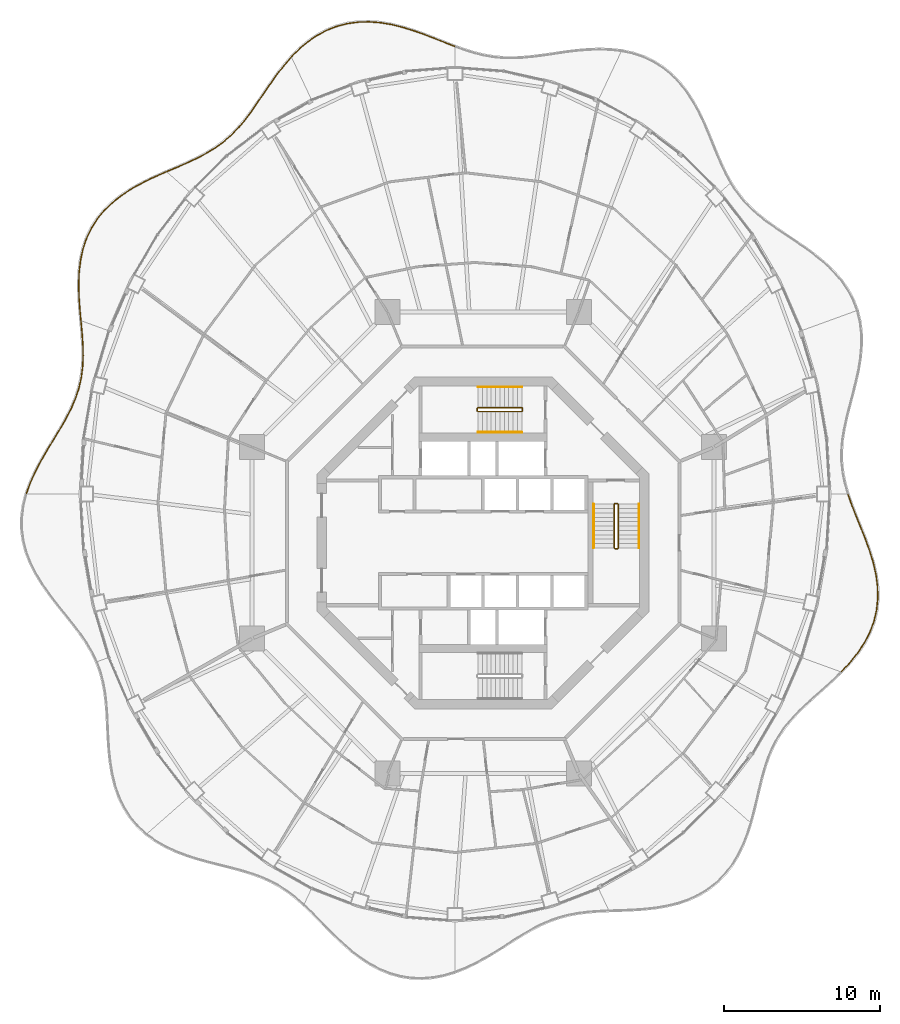
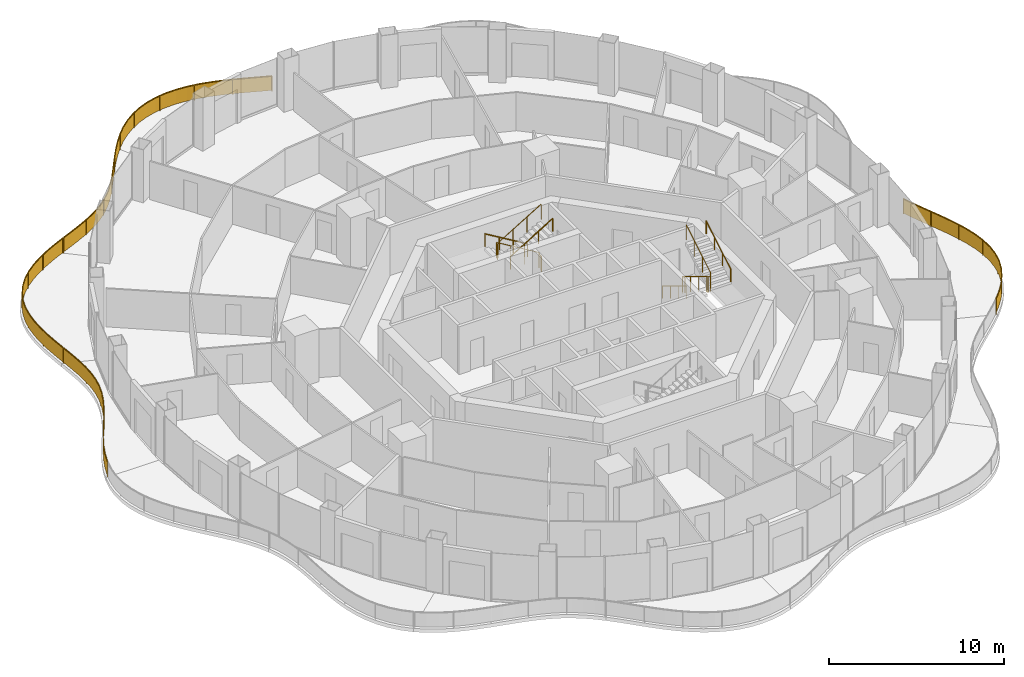
# One storey, part 17 of 18: 11 railings.
"""IFC4 building model written with IfcOpenShell, lengths in metres."""

from ifc_helpers import new_model, si_unit, direction, frame, origin, origin_2d, place, context, subcontext, project, spatial, polyline, rectangle, circle, outline, extrude, material, type_object, element, save


model = new_model("IFC4")

# Units and contexts
model_context = context("Model", 3, precision=1e-05, world=origin(), true_north=direction((0.0, 1.0)))
body_context = subcontext(model_context, "Body", "Model", "MODEL_VIEW")
ifc_project = project(units=[si_unit("LENGTHUNIT", "METRE"), si_unit("AREAUNIT", "SQUARE_METRE"), si_unit("VOLUMEUNIT", "CUBIC_METRE"), si_unit("PLANEANGLEUNIT", "RADIAN"), si_unit("MASSUNIT", "GRAM", prefix="KILO")], contexts=[model_context])

# Site, building, storey
site_placement = place(None, origin())
site = spatial("IfcSite", under=ifc_project, at=site_placement, CompositionType="ELEMENT")
building_placement = place(site_placement, origin())
building = spatial("IfcBuilding", under=site, at=building_placement, Name="Nagisa Residences", CompositionType="ELEMENT")
storey_placement = place(building_placement, frame((0.0, 0.0, 249.199951171875)))
storey = spatial("IfcBuildingStorey", under=building, at=storey_placement, Name="L63", CompositionType="ELEMENT", Elevation=249.199951171875)

# Railings
ifc_material_1 = material(Name="Stainless steel 316", Category="steel")
railing_type_1 = type_object("IfcRailingType", Name="BALCONY GUARD 1100", PredefinedType="BALUSTRADE", material=ifc_material_1)
railing_1_placement = place(storey_placement, frame((-1.833984375, 31.7880859375, 0.0)))
element("IfcRailing", 1, at=railing_1_placement, inside=storey, type_object=railing_type_1, Name="guard:L63:bal04-0", PredefinedType="BALUSTRADE", context=body_context, shape_type="SweptSolid", body=[
    extrude(outline(polyline([(-0.607666015625, 0.21142578125), (-0.009033203125, -0.023193359375), (0.009033203125, 0.023193359375), (-0.589111328125, 0.2578125), (-1.24609375, 0.518798828125), (-1.919921875, 0.77880859375), (-2.610595703125, 1.023681640625), (-3.314453125, 1.23974609375), (-4.0126953125, 1.416015625), (-4.734130859375, 1.535400390625), (-5.454833984375, 1.58984375), (-6.169189453125, 1.571044921875), (-6.8701171875, 1.474609375), (-7.53466796875, 1.302490234375), (-8.188720703125, 1.045654296875), (-8.81201171875, 0.712646484375), (-9.40087890625, 0.3095703125), (-9.95263671875, -0.154296875), (-10.4326171875, -0.63720703125), (-10.39697265625, -0.67236328125), (-9.9189453125, -0.19140625), (-9.37060546875, 0.26953125), (-8.7861328125, 0.669677734375), (-8.167724609375, 1.000244140625), (-7.51904296875, 1.254638671875), (-6.8603515625, 1.42529296875), (-6.165283203125, 1.521240234375), (-5.456298828125, 1.53955078125), (-4.739990234375, 1.485595703125), (-4.02294921875, 1.3671875), (-3.328125, 1.19140625), (-2.626220703125, 0.976318359375), (-1.9375, 0.73193359375), (-1.26416015625, 0.472412109375), (-0.607666015625, 0.21142578125)])), frame((0.0, 0.0, 1.050048828125)), (0.0, 0.0, 1.0), 0.050048828125),
    extrude(outline(polyline([(-0.60107421875, 0.22802734375), (-0.00244140625, -0.006591796875), (0.00244140625, 0.006591796875), (-0.595703125, 0.2412109375), (-1.252685546875, 0.502197265625), (-1.92626953125, 0.761962890625), (-2.6162109375, 1.006591796875), (-3.3193359375, 1.222412109375), (-4.016357421875, 1.3984375), (-4.736328125, 1.517333984375), (-5.455322265625, 1.57177734375), (-6.167724609375, 1.55322265625), (-6.86669921875, 1.456787109375), (-7.529052734375, 1.28515625), (-8.18115234375, 1.029296875), (-8.802734375, 0.697265625), (-9.389892578125, 0.295166015625), (-9.9404296875, -0.167724609375), (-10.419677734375, -0.64990234375), (-10.409912109375, -0.65966796875), (-9.93115234375, -0.177978515625), (-9.381591796875, 0.283935546875), (-8.79541015625, 0.68505859375), (-8.17529296875, 1.0166015625), (-7.524658203125, 1.27197265625), (-6.86376953125, 1.443115234375), (-6.166748046875, 1.5390625), (-5.455810546875, 1.5576171875), (-4.73779296875, 1.503662109375), (-4.019287109375, 1.384765625), (-3.3232421875, 1.208740234375), (-2.62060546875, 0.993408203125), (-1.93115234375, 0.748779296875), (-1.257568359375, 0.489013671875), (-0.60107421875, 0.22802734375)])), frame((0.0, 0.0, 0.06005859375)), (0.0, 0.0, 1.0), 0.989990234375),
    extrude(rectangle(XDim=0.0400390625, YDim=0.0400390625, at=origin_2d()), origin(), (0.0, 0.0, 1.0), 1.050048828125),
    extrude(rectangle(XDim=0.0400390625, YDim=0.0400390625, at=origin_2d()), frame((-2.110107421875, 0.819580078125, 0.0)), (0.0, 0.0, 1.0), 1.050048828125),
    extrude(rectangle(XDim=0.0400390625, YDim=0.0400390625, at=origin_2d()), frame((-4.284912109375, 1.435791015625, 0.0)), (0.0, 0.0, 1.0), 1.050048828125),
    extrude(rectangle(XDim=0.0400390625, YDim=0.0400390625, at=origin_2d()), frame((-6.536865234375, 1.4951171875, 0.0)), (0.0, 0.0, 1.0), 1.050048828125),
    extrude(rectangle(XDim=0.0400390625, YDim=0.0400390625, at=origin_2d()), frame((-8.66259765625, 0.76416015625, 0.0)), (0.0, 0.0, 1.0), 1.050048828125),
    extrude(rectangle(XDim=0.0400390625, YDim=0.0400390625, at=origin_2d()), frame((-10.414794921875, -0.65478515625, 0.0)), (0.0, 0.0, 1.0), 1.050048828125),
])
railing_2_placement = place(storey_placement, frame((-12.300537109375, 31.075927734375, 0.0)))
element("IfcRailing", 2, at=railing_2_placement, inside=storey, type_object=railing_type_1, Name="guard:L63:bal05-0", PredefinedType="BALUSTRADE", context=body_context, shape_type="SweptSolid", body=[
    extrude(outline(polyline([(-0.445068359375, -0.55517578125), (0.01904296875, -0.016357421875), (-0.01904296875, 0.016357421875), (-0.483642578125, -0.5234375), (-0.94775390625, -1.124267578125), (-1.384765625, -1.737548828125), (-1.802001953125, -2.349365234375), (-2.2080078125, -2.947021484375), (-2.598388671875, -3.51025390625), (-3.010498046875, -4.048828125), (-3.43896484375, -4.548095703125), (-3.892333984375, -5.005126953125), (-4.376220703125, -5.419189453125), (-4.883544921875, -5.783203125), (-5.439697265625, -6.123046875), (-6.032470703125, -6.43505859375), (-6.658203125, -6.72900390625), (-7.311279296875, -7.013671875), (-7.9423828125, -7.28076171875), (-7.9228515625, -7.32666015625), (-7.291748046875, -7.0595703125), (-6.6376953125, -6.7744140625), (-6.010009765625, -6.47998046875), (-5.414794921875, -6.16650390625), (-4.855712890625, -5.82470703125), (-4.345458984375, -5.458740234375), (-3.858154296875, -5.041748046875), (-3.40234375, -4.582275390625), (-2.971435546875, -4.08056640625), (-2.557861328125, -3.53955078125), (-2.16650390625, -2.975341796875), (-1.760498046875, -2.377685546875), (-1.34375, -1.766357421875), (-0.90771484375, -1.154052734375), (-0.445068359375, -0.55517578125)])), frame((0.0, 0.0, 1.050048828125)), (0.0, 0.0, 1.0), 0.050048828125),
    extrude(outline(polyline([(-0.458984375, -0.543701171875), (0.00537109375, -0.004638671875), (-0.00537109375, 0.004638671875), (-0.4697265625, -0.534912109375), (-0.933349609375, -1.135009765625), (-1.3701171875, -1.748046875), (-1.787109375, -2.359619140625), (-2.193115234375, -2.957275390625), (-2.583740234375, -3.520751953125), (-2.996337890625, -4.060302734375), (-3.42578125, -4.560546875), (-3.880126953125, -5.018310546875), (-4.365234375, -5.433349609375), (-4.87353515625, -5.798095703125), (-5.4306640625, -6.138671875), (-6.0244140625, -6.451171875), (-6.65087890625, -6.745361328125), (-7.30419921875, -7.0302734375), (-7.935302734375, -7.29736328125), (-7.929931640625, -7.31005859375), (-7.298828125, -7.04296875), (-6.64501953125, -6.758056640625), (-6.01806640625, -6.4638671875), (-5.423828125, -6.15087890625), (-4.86572265625, -5.809814453125), (-4.3564453125, -5.444580078125), (-3.870361328125, -5.028564453125), (-3.41552734375, -4.56982421875), (-2.985595703125, -4.069091796875), (-2.572509765625, -3.529052734375), (-2.181396484375, -2.965087890625), (-1.775390625, -2.367431640625), (-1.3583984375, -1.755859375), (-0.922119140625, -1.143310546875), (-0.458984375, -0.543701171875)])), frame((0.0, 0.0, 0.06005859375)), (0.0, 0.0, 1.0), 0.989990234375),
    extrude(rectangle(XDim=0.0400390625, YDim=0.0400390625, at=origin_2d()), origin(), (0.0, 0.0, 1.0), 1.050048828125),
    extrude(rectangle(XDim=0.0400390625, YDim=0.0400390625, at=origin_2d()), frame((-1.355712890625, -1.739990234375, 0.0)), (0.0, 0.0, 1.0), 1.050048828125),
    extrude(rectangle(XDim=0.0400390625, YDim=0.0400390625, at=origin_2d()), frame((-2.604736328125, -3.5595703125, 0.0)), (0.0, 0.0, 1.0), 1.050048828125),
    extrude(rectangle(XDim=0.0400390625, YDim=0.0400390625, at=origin_2d()), frame((-4.07763671875, -5.196533203125, 0.0)), (0.0, 0.0, 1.0), 1.050048828125),
    extrude(rectangle(XDim=0.0400390625, YDim=0.0400390625, at=origin_2d()), frame((-5.91796875, -6.403076171875, 0.0)), (0.0, 0.0, 1.0), 1.050048828125),
    extrude(rectangle(XDim=0.0400390625, YDim=0.0400390625, at=origin_2d()), frame((-7.9326171875, -7.3037109375, 0.0)), (0.0, 0.0, 1.0), 1.050048828125),
])
railing_3_placement = place(storey_placement, frame((-20.3037109375, 23.74365234375, 0.0)))
element("IfcRailing", 3, at=railing_3_placement, inside=storey, type_object=railing_type_1, Name="guard:L63:bal06-0", PredefinedType="BALUSTRADE", context=body_context, shape_type="SweptSolid", body=[
    extrude(outline(polyline([(-0.662841796875, -0.316162109375), (0.010009765625, -0.02294921875), (-0.010009765625, 0.02294921875), (-0.683837890625, -0.270751953125), (-1.393798828125, -0.60986328125), (-2.0849609375, -0.98388671875), (-2.7431640625, -1.40087890625), (-3.35302734375, -1.86572265625), (-3.896240234375, -2.3720703125), (-4.377197265625, -2.943115234375), (-4.780029296875, -3.564453125), (-5.10107421875, -4.23193359375), (-5.34033203125, -4.939453125), (-5.494140625, -5.66552734375), (-5.583251953125, -6.427978515625), (-5.611572265625, -7.2041015625), (-5.591552734375, -7.985595703125), (-5.53955078125, -8.763427734375), (-5.472900390625, -9.486328125), (-5.423095703125, -9.48193359375), (-5.48974609375, -8.759521484375), (-5.541748046875, -7.983154296875), (-5.561279296875, -7.20458984375), (-5.533447265625, -6.431884765625), (-5.44482421875, -5.673828125), (-5.2919921875, -4.95263671875), (-5.0546875, -4.2509765625), (-4.736083984375, -3.5888671875), (-4.336669921875, -2.972900390625), (-3.860107421875, -2.40673828125), (-3.32080078125, -1.90380859375), (-2.71435546875, -1.44189453125), (-2.0595703125, -1.02685546875), (-1.370849609375, -0.654296875), (-0.662841796875, -0.316162109375)])), frame((0.0, 0.0, 1.050048828125)), (0.0, 0.0, 1.0), 0.050048828125),
    extrude(outline(polyline([(-0.67041015625, -0.2998046875), (0.002685546875, -0.00634765625), (-0.002685546875, 0.00634765625), (-0.67626953125, -0.287109375), (-1.385498046875, -0.625732421875), (-2.075927734375, -0.999267578125), (-2.732666015625, -1.41552734375), (-3.341552734375, -1.87939453125), (-3.88330078125, -2.384521484375), (-4.362548828125, -2.953857421875), (-4.76416015625, -3.5732421875), (-5.08447265625, -4.23876953125), (-5.322998046875, -4.944091796875), (-5.476318359375, -5.66845703125), (-5.5654296875, -6.429443359375), (-5.593505859375, -7.204345703125), (-5.57373046875, -7.984619140625), (-5.521728515625, -8.761962890625), (-5.455078125, -9.48486328125), (-5.44091796875, -9.4833984375), (-5.507568359375, -8.760986328125), (-5.5595703125, -7.984130859375), (-5.579345703125, -7.204345703125), (-5.55126953125, -6.430419921875), (-5.462646484375, -5.6708984375), (-5.309326171875, -4.947998046875), (-5.0712890625, -4.244140625), (-4.751953125, -3.580078125), (-4.351318359375, -2.962158203125), (-3.873046875, -2.394287109375), (-3.332275390625, -1.89013671875), (-2.724853515625, -1.42724609375), (-2.068603515625, -1.011474609375), (-1.379150390625, -0.638427734375), (-0.67041015625, -0.2998046875)])), frame((0.0, 0.0, 0.06005859375)), (0.0, 0.0, 1.0), 0.989990234375),
    extrude(rectangle(XDim=0.0400390625, YDim=0.0400390625, at=origin_2d()), origin(), (0.0, 0.0, 1.0), 1.050048828125),
    extrude(rectangle(XDim=0.0400390625, YDim=0.0400390625, at=origin_2d()), frame((-1.821044921875, -0.869384765625, 0.0)), (0.0, 0.0, 1.0), 1.050048828125),
    extrude(rectangle(XDim=0.0400390625, YDim=0.0400390625, at=origin_2d()), frame((-3.476806640625, -2.015380859375, 0.0)), (0.0, 0.0, 1.0), 1.050048828125),
    extrude(rectangle(XDim=0.0400390625, YDim=0.0400390625, at=origin_2d()), frame((-4.75244140625, -3.56787109375, 0.0)), (0.0, 0.0, 1.0), 1.050048828125),
    extrude(rectangle(XDim=0.0400390625, YDim=0.0400390625, at=origin_2d()), frame((-5.42529296875, -5.461669921875, 0.0)), (0.0, 0.0, 1.0), 1.050048828125),
    extrude(rectangle(XDim=0.0400390625, YDim=0.0400390625, at=origin_2d()), frame((-5.57958984375, -7.47021484375, 0.0)), (0.0, 0.0, 1.0), 1.050048828125),
    extrude(rectangle(XDim=0.0400390625, YDim=0.0400390625, at=origin_2d()), frame((-5.447998046875, -9.484130859375, 0.0)), (0.0, 0.0, 1.0), 1.050048828125),
])
railing_4_placement = place(storey_placement, frame((-25.7431640625, 14.18408203125, 0.0)))
element("IfcRailing", 4, at=railing_4_placement, inside=storey, type_object=railing_type_1, Name="guard:L63:bal07-0", PredefinedType="BALUSTRADE", context=body_context, shape_type="SweptSolid", body=[
    extrude(outline(polyline([(0.092529296875, -0.72900390625), (0.02490234375, 0.002197265625), (-0.02490234375, -0.002197265625), (0.042724609375, -0.73291015625), (0.09423828125, -1.48681640625), (0.111083984375, -2.217041015625), (0.08056640625, -2.923828125), (-0.00732421875, -3.609375), (-0.1552734375, -4.263916015625), (-0.370849609375, -4.91943359375), (-0.647705078125, -5.568359375), (-0.978759765625, -6.216552734375), (-1.352294921875, -6.869873046875), (-1.751708984375, -7.51953125), (-2.163330078125, -8.196533203125), (-2.56591796875, -8.889404296875), (-2.93994140625, -9.599609375), (-3.26708984375, -10.326171875), (-3.51611328125, -11.021484375), (-3.46875, -11.03857421875), (-3.220703125, -10.3447265625), (-2.89501953125, -9.62158203125), (-2.52197265625, -8.913818359375), (-2.120361328125, -8.221923828125), (-1.709228515625, -7.54541015625), (-1.309326171875, -6.895263671875), (-0.934814453125, -6.240478515625), (-0.602294921875, -5.58935546875), (-0.323974609375, -4.93701171875), (-0.10693359375, -4.277099609375), (0.0419921875, -3.6181640625), (0.13037109375, -2.92822265625), (0.161376953125, -2.217529296875), (0.14404296875, -1.484375), (0.092529296875, -0.72900390625)])), frame((0.0, 0.0, 1.050048828125)), (0.0, 0.0, 1.0), 0.050048828125),
    extrude(outline(polyline([(0.07470703125, -0.73046875), (0.007080078125, 0.000732421875), (-0.007080078125, -0.000732421875), (0.060546875, -0.7314453125), (0.112060546875, -1.48583984375), (0.129150390625, -2.21728515625), (0.098388671875, -2.925537109375), (0.010498046875, -3.612548828125), (-0.137939453125, -4.2685546875), (-0.35400390625, -4.92578125), (-0.63134765625, -5.575927734375), (-0.962890625, -6.22509765625), (-1.3369140625, -6.87890625), (-1.736328125, -7.52880859375), (-2.14794921875, -8.20556640625), (-2.550048828125, -8.898193359375), (-2.923828125, -9.607421875), (-3.25048828125, -10.332763671875), (-3.4990234375, -11.027587890625), (-3.48583984375, -11.032470703125), (-3.2373046875, -10.338134765625), (-2.9111328125, -9.61376953125), (-2.537841796875, -8.905029296875), (-2.1357421875, -8.212890625), (-1.724609375, -7.5361328125), (-1.32470703125, -6.88623046875), (-0.95068359375, -6.23193359375), (-0.61865234375, -5.581787109375), (-0.3408203125, -4.9306640625), (-0.124267578125, -4.2724609375), (0.024169921875, -3.614990234375), (0.112548828125, -2.926513671875), (0.143310546875, -2.21728515625), (0.126220703125, -1.4853515625), (0.07470703125, -0.73046875)])), frame((0.0, 0.0, 0.06005859375)), (0.0, 0.0, 1.0), 0.989990234375),
    extrude(rectangle(XDim=0.0400390625, YDim=0.0400390625, at=origin_2d()), origin(), (0.0, 0.0, 1.0), 1.050048828125),
    extrude(rectangle(XDim=0.0400390625, YDim=0.0400390625, at=origin_2d()), frame((0.129638671875, -2.368896484375, 0.0)), (0.0, 0.0, 1.0), 1.050048828125),
    extrude(rectangle(XDim=0.0400390625, YDim=0.0400390625, at=origin_2d()), frame((-0.271728515625, -4.69775390625, 0.0)), (0.0, 0.0, 1.0), 1.050048828125),
    extrude(rectangle(XDim=0.0400390625, YDim=0.0400390625, at=origin_2d()), frame((-1.3017578125, -6.83154296875, 0.0)), (0.0, 0.0, 1.0), 1.050048828125),
    extrude(rectangle(XDim=0.0400390625, YDim=0.0400390625, at=origin_2d()), frame((-2.523681640625, -8.866943359375, 0.0)), (0.0, 0.0, 1.0), 1.050048828125),
    extrude(rectangle(XDim=0.0400390625, YDim=0.0400390625, at=origin_2d()), frame((-3.492431640625, -11.030029296875, 0.0)), (0.0, 0.0, 1.0), 1.050048828125),
])
railing_5_placement = place(storey_placement, frame((22.946044921875, -8.239501953125, 0.0)))
element("IfcRailing", 5, at=railing_5_placement, inside=storey, type_object=railing_type_1, Name="guard:L63:bal15-0", PredefinedType="BALUSTRADE", context=body_context, shape_type="SweptSolid", body=[
    extrude(outline(polyline([(0.5, 0.567626953125), (-0.018310546875, 0.01708984375), (0.018310546875, -0.01708984375), (0.53759765625, 0.534912109375), (1.03759765625, 1.152587890625), (1.472412109375, 1.802978515625), (1.828857421875, 2.48486328125), (2.09619140625, 3.196044921875), (2.26611328125, 3.918212890625), (2.34326171875, 4.6728515625), (2.327392578125, 5.43994140625), (2.226806640625, 6.212890625), (2.052734375, 6.9853515625), (1.81884765625, 7.73779296875), (1.546142578125, 8.492919921875), (1.251708984375, 9.23486328125), (0.955322265625, 9.96142578125), (0.67529296875, 10.67333984375), (0.44189453125, 11.33154296875), (0.39453125, 11.31494140625), (0.62841796875, 10.65576171875), (0.908935546875, 9.94287109375), (1.205322265625, 9.21630859375), (1.499267578125, 8.475341796875), (1.771484375, 7.7216796875), (2.00439453125, 6.97216796875), (2.177490234375, 6.2041015625), (2.277587890625, 5.43603515625), (2.29296875, 4.6748046875), (2.216796875, 3.926513671875), (2.04833984375, 3.210693359375), (1.782958984375, 2.50537109375), (1.429443359375, 1.828369140625), (0.9970703125, 1.182373046875), (0.5, 0.567626953125)])), frame((0.0, 0.0, 1.050048828125)), (0.0, 0.0, 1.0), 0.050048828125),
    extrude(outline(polyline([(0.513427734375, 0.555908203125), (-0.005126953125, 0.0048828125), (0.005126953125, -0.0048828125), (0.524169921875, 0.546630859375), (1.02294921875, 1.163330078125), (1.45703125, 1.81201171875), (1.812255859375, 2.4921875), (2.078857421875, 3.201416015625), (2.248291015625, 3.921142578125), (2.3251953125, 4.673583984375), (2.3095703125, 5.4384765625), (2.208984375, 6.209716796875), (2.035400390625, 6.98046875), (1.8017578125, 7.73193359375), (1.529296875, 8.486572265625), (1.235107421875, 9.228271484375), (0.938720703125, 9.954833984375), (0.658447265625, 10.6669921875), (0.4248046875, 11.32568359375), (0.41162109375, 11.32080078125), (0.645263671875, 10.662109375), (0.925537109375, 9.949462890625), (1.221923828125, 9.222900390625), (1.51611328125, 8.481689453125), (1.78857421875, 7.7275390625), (2.021728515625, 6.97705078125), (2.1953125, 6.207275390625), (2.29541015625, 5.4375), (2.31103515625, 4.674072265625), (2.234619140625, 3.923583984375), (2.065673828125, 3.205322265625), (1.799560546875, 2.498046875), (1.44482421875, 1.8193359375), (1.01171875, 1.171630859375), (0.513427734375, 0.555908203125)])), frame((0.0, 0.0, 0.06005859375)), (0.0, 0.0, 1.0), 0.989990234375),
    extrude(rectangle(XDim=0.0400390625, YDim=0.0400390625, at=origin_2d()), origin(), (0.0, 0.0, 1.0), 1.050048828125),
    extrude(rectangle(XDim=0.0400390625, YDim=0.0400390625, at=origin_2d()), frame((1.296630859375, 1.585205078125, 0.0)), (0.0, 0.0, 1.0), 1.050048828125),
    extrude(rectangle(XDim=0.0400390625, YDim=0.0400390625, at=origin_2d()), frame((2.1298828125, 3.4482421875, 0.0)), (0.0, 0.0, 1.0), 1.050048828125),
    extrude(rectangle(XDim=0.0400390625, YDim=0.0400390625, at=origin_2d()), frame((2.296630859375, 5.483154296875, 0.0)), (0.0, 0.0, 1.0), 1.050048828125),
    extrude(rectangle(XDim=0.0400390625, YDim=0.0400390625, at=origin_2d()), frame((1.870849609375, 7.48583984375, 0.0)), (0.0, 0.0, 1.0), 1.050048828125),
    extrude(rectangle(XDim=0.0400390625, YDim=0.0400390625, at=origin_2d()), frame((1.154052734375, 9.407958984375, 0.0)), (0.0, 0.0, 1.0), 1.050048828125),
    extrude(rectangle(XDim=0.0400390625, YDim=0.0400390625, at=origin_2d()), frame((0.418212890625, 11.3232421875, 0.0)), (0.0, 0.0, 1.0), 1.050048828125),
])
ifc_material_2 = material(Name="Stainless steel", Category="steel")
railing_type_2 = type_object("IfcRailingType", Name="Stair guard 1100", PredefinedType="GUARDRAIL", material=ifc_material_2)
railing_6_placement = place(storey_placement, frame((8.599609375, 2.52490234375, 0.0)))
element("IfcRailing", 6, at=railing_6_placement, inside=storey, type_object=railing_type_2, Name="L63 ST-E stair guard 1", PredefinedType="GUARDRAIL", context=body_context, shape_type="SweptSolid", body=[
    extrude(circle(Radius=0.02392578125, at=origin_2d()), frame((0.0, 0.0, 1.076171875), z_axis=(-1.0, 0.0, 0.0), x_axis=(0.0, -1.0, 0.0)), (0.0, 0.0, 1.0), 0.14990234375),
    extrude(circle(Radius=0.02392578125, at=origin_2d()), frame((-0.14990234375, 0.0, 1.076171875), z_axis=(-0.27434429532, -0.273006030465, 0.922064485248), x_axis=(0.705375805398, -0.708833529934, 0.0)), (0.0, 0.0, 1.0), 0.182373046875),
    extrude(circle(Radius=0.02392578125, at=origin_2d()), frame((-0.199951171875, -0.0498046875, 1.244140625), z_axis=(0.0, -0.857242210791, 0.514913383045), x_axis=(1.0, 0.0, 0.0)), (0.0, 0.0, 1.0), 3.266357421875),
    extrude(circle(Radius=0.02392578125, at=origin_2d()), frame((-0.199951171875, -2.849853515625, 2.92626953125), z_axis=(0.707106781187, -0.707106781187, 0.0), x_axis=(0.707106781187, 0.707106781187, 0.0)), (0.0, 0.0, 1.0), 0.07080078125),
    extrude(circle(Radius=0.02392578125, at=origin_2d()), frame((-0.14990234375, -2.89990234375, 2.92626953125), z_axis=(1.0, 0.0, 0.0), x_axis=(0.0, 1.0, 0.0)), (0.0, 0.0, 1.0), 0.14990234375),
    extrude(circle(Radius=0.02392578125, at=origin_2d()), frame((0.0, -2.89990234375, 2.92626953125), z_axis=(0.274243871929, 0.274243871929, 0.92172696468), x_axis=(-0.707106781187, 0.707106781187, 0.0)), (0.0, 0.0, 1.0), 0.1826171875),
    extrude(circle(Radius=0.02392578125, at=origin_2d()), frame((0.050048828125, -2.849853515625, 3.09423828125), z_axis=(0.0, 0.857275202839, 0.514858452973), x_axis=(-1.0, 0.0, 0.0)), (0.0, 0.0, 1.0), 3.26611328125),
    extrude(circle(Radius=0.02099609375, at=origin_2d()), origin(), (0.0, 0.0, 1.0), 1.052001953125),
    extrude(circle(Radius=0.02099609375, at=origin_2d()), frame((-0.14990234375, 0.0, 0.0)), (0.0, 0.0, 1.0), 1.052001953125),
    extrude(circle(Radius=0.02099609375, at=origin_2d()), frame((-0.199951171875, -0.0498046875, 0.168212890625)), (0.0, 0.0, 1.0), 1.052001953125),
    extrude(circle(Radius=0.02099609375, at=origin_2d()), frame((-0.199951171875, -0.983154296875, 0.728759765625)), (0.0, 0.0, 1.0), 1.052001953125),
    extrude(circle(Radius=0.02099609375, at=origin_2d()), frame((-0.199951171875, -1.91650390625, 1.28955078125)), (0.0, 0.0, 1.0), 1.052001953125),
    extrude(circle(Radius=0.02099609375, at=origin_2d()), frame((-0.199951171875, -2.849853515625, 1.85009765625)), (0.0, 0.0, 1.0), 1.052001953125),
    extrude(circle(Radius=0.02099609375, at=origin_2d()), frame((-0.14990234375, -2.89990234375, 1.85009765625)), (0.0, 0.0, 1.0), 1.052001953125),
    extrude(circle(Radius=0.02099609375, at=origin_2d()), frame((0.0, -2.89990234375, 1.85009765625)), (0.0, 0.0, 1.0), 1.052001953125),
    extrude(circle(Radius=0.02099609375, at=origin_2d()), frame((0.050048828125, -2.849853515625, 2.018310546875)), (0.0, 0.0, 1.0), 1.052001953125),
    extrude(circle(Radius=0.02099609375, at=origin_2d()), frame((0.050048828125, -1.91650390625, 2.578857421875)), (0.0, 0.0, 1.0), 1.052001953125),
    extrude(circle(Radius=0.02099609375, at=origin_2d()), frame((0.050048828125, -0.983154296875, 3.139404296875)), (0.0, 0.0, 1.0), 1.052001953125),
    extrude(circle(Radius=0.02099609375, at=origin_2d()), frame((0.050048828125, -0.0498046875, 3.699951171875)), (0.0, 0.0, 1.0), 1.052001953125),
])
railing_7_placement = place(storey_placement, frame((2.52490234375, 8.44970703125, 0.0)))
element("IfcRailing", 7, at=railing_7_placement, inside=storey, type_object=railing_type_2, Name="L63 ST-N stair guard 1", PredefinedType="GUARDRAIL", context=body_context, shape_type="SweptSolid", body=[
    extrude(circle(Radius=0.02392578125, at=origin_2d()), frame((0.0, 0.0, 1.076171875), z_axis=(0.0, 1.0, 0.0), x_axis=(-1.0, 0.0, 0.0)), (0.0, 0.0, 1.0), 0.14990234375),
    extrude(circle(Radius=0.02392578125, at=origin_2d()), frame((0.0, 0.14990234375, 1.076171875), z_axis=(-0.273006030465, 0.27434429532, 0.922064485248), x_axis=(-0.708833529934, -0.705375805398, 0.0)), (0.0, 0.0, 1.0), 0.182373046875),
    extrude(circle(Radius=0.02392578125, at=origin_2d()), frame((-0.0498046875, 0.199951171875, 1.244140625), z_axis=(-0.857242210791, 0.0, 0.514913383045), x_axis=(0.0, -1.0, 0.0)), (0.0, 0.0, 1.0), 3.266357421875),
    extrude(circle(Radius=0.02392578125, at=origin_2d()), frame((-2.849853515625, 0.199951171875, 2.92626953125), z_axis=(-0.707106781187, -0.707106781187, 0.0), x_axis=(0.707106781187, -0.707106781187, 0.0)), (0.0, 0.0, 1.0), 0.07080078125),
    extrude(circle(Radius=0.02392578125, at=origin_2d()), frame((-2.89990234375, 0.14990234375, 2.92626953125), z_axis=(0.0, -1.0, 0.0), x_axis=(1.0, 0.0, 0.0)), (0.0, 0.0, 1.0), 0.14990234375),
    extrude(circle(Radius=0.02392578125, at=origin_2d()), frame((-2.89990234375, 0.0, 2.92626953125), z_axis=(0.274243871929, -0.274243871929, 0.92172696468), x_axis=(0.707106781187, 0.707106781187, 0.0)), (0.0, 0.0, 1.0), 0.1826171875),
    extrude(circle(Radius=0.02392578125, at=origin_2d()), frame((-2.849853515625, -0.050048828125, 3.09423828125), z_axis=(0.857275202839, 0.0, 0.514858452973), x_axis=(0.0, 1.0, 0.0)), (0.0, 0.0, 1.0), 3.26611328125),
    extrude(circle(Radius=0.02099609375, at=origin_2d()), origin(), (0.0, 0.0, 1.0), 1.052001953125),
    extrude(circle(Radius=0.02099609375, at=origin_2d()), frame((0.0, 0.14990234375, 0.0)), (0.0, 0.0, 1.0), 1.052001953125),
    extrude(circle(Radius=0.02099609375, at=origin_2d()), frame((-0.0498046875, 0.199951171875, 0.168212890625)), (0.0, 0.0, 1.0), 1.052001953125),
    extrude(circle(Radius=0.02099609375, at=origin_2d()), frame((-0.983154296875, 0.199951171875, 0.728759765625)), (0.0, 0.0, 1.0), 1.052001953125),
    extrude(circle(Radius=0.02099609375, at=origin_2d()), frame((-1.91650390625, 0.199951171875, 1.28955078125)), (0.0, 0.0, 1.0), 1.052001953125),
    extrude(circle(Radius=0.02099609375, at=origin_2d()), frame((-2.849853515625, 0.199951171875, 1.85009765625)), (0.0, 0.0, 1.0), 1.052001953125),
    extrude(circle(Radius=0.02099609375, at=origin_2d()), frame((-2.89990234375, 0.14990234375, 1.85009765625)), (0.0, 0.0, 1.0), 1.052001953125),
    extrude(circle(Radius=0.02099609375, at=origin_2d()), frame((-2.89990234375, 0.0, 1.85009765625)), (0.0, 0.0, 1.0), 1.052001953125),
    extrude(circle(Radius=0.02099609375, at=origin_2d()), frame((-2.849853515625, -0.050048828125, 2.018310546875)), (0.0, 0.0, 1.0), 1.052001953125),
    extrude(circle(Radius=0.02099609375, at=origin_2d()), frame((-1.91650390625, -0.050048828125, 2.578857421875)), (0.0, 0.0, 1.0), 1.052001953125),
    extrude(circle(Radius=0.02099609375, at=origin_2d()), frame((-0.983154296875, -0.050048828125, 3.139404296875)), (0.0, 0.0, 1.0), 1.052001953125),
    extrude(circle(Radius=0.02099609375, at=origin_2d()), frame((-0.0498046875, -0.050048828125, 3.699951171875)), (0.0, 0.0, 1.0), 1.052001953125),
])
ifc_material_3 = material(Name="Stainless steel", Category="steel")
railing_type_3 = type_object("IfcRailingType", Name="Stair handrail 900", PredefinedType="HANDRAIL", material=ifc_material_3)
railing_8_placement = place(storey_placement, frame((7.07470703125, 2.47509765625, 0.168212890625)))
element("IfcRailing", 8, at=railing_8_placement, inside=storey, type_object=railing_type_3, Name="L63 ST-E stair handrail 1", PredefinedType="HANDRAIL", context=body_context, shape_type="SweptSolid", body=[
    extrude(circle(Radius=0.02392578125, at=origin_2d()), frame((0.0, 0.0, 0.8759765625), z_axis=(0.0, -0.857242210791, 0.514913383045), x_axis=(1.0, 0.0, 0.0)), (0.0, 0.0, 1.0), 3.266357421875),
    extrude(circle(Radius=0.02099609375, at=origin_2d()), origin(), (0.0, 0.0, 1.0), 0.851806640625),
    extrude(circle(Radius=0.02099609375, at=origin_2d()), frame((0.0, -0.933349609375, 0.560546875)), (0.0, 0.0, 1.0), 0.851806640625),
    extrude(circle(Radius=0.02099609375, at=origin_2d()), frame((0.0, -1.86669921875, 1.121337890625)), (0.0, 0.0, 1.0), 0.851806640625),
    extrude(circle(Radius=0.02099609375, at=origin_2d()), frame((0.0, -2.800048828125, 1.681884765625)), (0.0, 0.0, 1.0), 0.851806640625),
])
railing_9_placement = place(storey_placement, frame((9.974609375, -0.324951171875, 2.018310546875)))
element("IfcRailing", 9, at=railing_9_placement, inside=storey, type_object=railing_type_3, Name="L63 ST-E stair handrail 2", PredefinedType="HANDRAIL", context=body_context, shape_type="SweptSolid", body=[
    extrude(circle(Radius=0.02392578125, at=origin_2d()), frame((0.0, 0.0, 0.8759765625), z_axis=(0.0, 0.857275202839, 0.514858452973), x_axis=(-1.0, 0.0, 0.0)), (0.0, 0.0, 1.0), 3.26611328125),
    extrude(circle(Radius=0.02099609375, at=origin_2d()), origin(), (0.0, 0.0, 1.0), 0.851806640625),
    extrude(circle(Radius=0.02099609375, at=origin_2d()), frame((0.0, 0.933349609375, 0.560546875)), (0.0, 0.0, 1.0), 0.851806640625),
    extrude(circle(Radius=0.02099609375, at=origin_2d()), frame((0.0, 1.86669921875, 1.12109375)), (0.0, 0.0, 1.0), 0.851806640625),
    extrude(circle(Radius=0.02099609375, at=origin_2d()), frame((0.0, 2.800048828125, 1.681640625)), (0.0, 0.0, 1.0), 0.851806640625),
])
railing_10_placement = place(storey_placement, frame((2.47509765625, 9.974609375, 0.168212890625)))
element("IfcRailing", 10, at=railing_10_placement, inside=storey, type_object=railing_type_3, Name="L63 ST-N stair handrail 1", PredefinedType="HANDRAIL", context=body_context, shape_type="SweptSolid", body=[
    extrude(circle(Radius=0.02392578125, at=origin_2d()), frame((0.0, 0.0, 0.8759765625), z_axis=(-0.857242210791, 0.0, 0.514913383045), x_axis=(0.0, -1.0, 0.0)), (0.0, 0.0, 1.0), 3.266357421875),
    extrude(circle(Radius=0.02099609375, at=origin_2d()), origin(), (0.0, 0.0, 1.0), 0.851806640625),
    extrude(circle(Radius=0.02099609375, at=origin_2d()), frame((-0.933349609375, 0.0, 0.560546875)), (0.0, 0.0, 1.0), 0.851806640625),
    extrude(circle(Radius=0.02099609375, at=origin_2d()), frame((-1.86669921875, 0.0, 1.121337890625)), (0.0, 0.0, 1.0), 0.851806640625),
    extrude(circle(Radius=0.02099609375, at=origin_2d()), frame((-2.800048828125, 0.0, 1.681884765625)), (0.0, 0.0, 1.0), 0.851806640625),
])
railing_11_placement = place(storey_placement, frame((-0.324951171875, 7.07470703125, 2.018310546875)))
element("IfcRailing", 11, at=railing_11_placement, inside=storey, type_object=railing_type_3, Name="L63 ST-N stair handrail 2", PredefinedType="HANDRAIL", context=body_context, shape_type="SweptSolid", body=[
    extrude(circle(Radius=0.02392578125, at=origin_2d()), frame((0.0, 0.0, 0.8759765625), z_axis=(0.857275202839, 0.0, 0.514858452973), x_axis=(0.0, 1.0, 0.0)), (0.0, 0.0, 1.0), 3.26611328125),
    extrude(circle(Radius=0.02099609375, at=origin_2d()), origin(), (0.0, 0.0, 1.0), 0.851806640625),
    extrude(circle(Radius=0.02099609375, at=origin_2d()), frame((0.933349609375, 0.0, 0.560546875)), (0.0, 0.0, 1.0), 0.851806640625),
    extrude(circle(Radius=0.02099609375, at=origin_2d()), frame((1.86669921875, 0.0, 1.12109375)), (0.0, 0.0, 1.0), 0.851806640625),
    extrude(circle(Radius=0.02099609375, at=origin_2d()), frame((2.800048828125, 0.0, 1.681640625)), (0.0, 0.0, 1.0), 0.851806640625),
])

save(model, "model.ifc")
